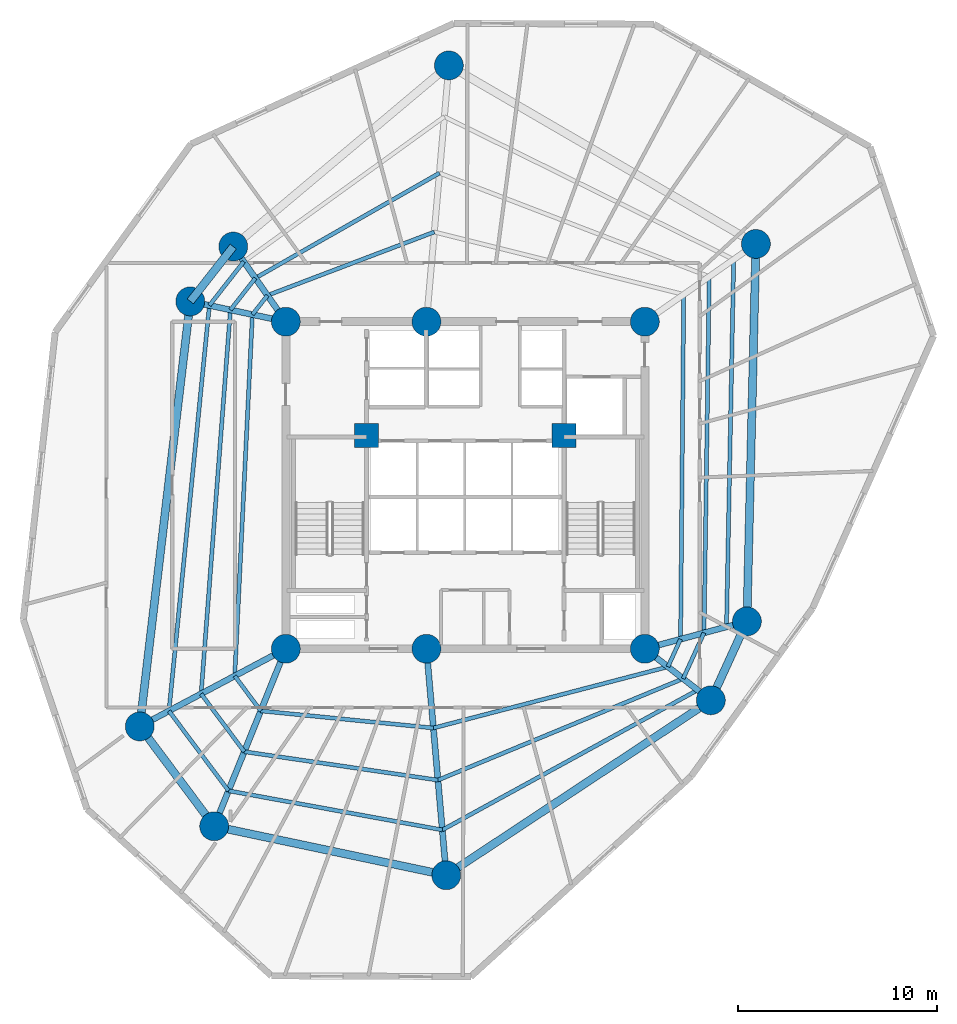
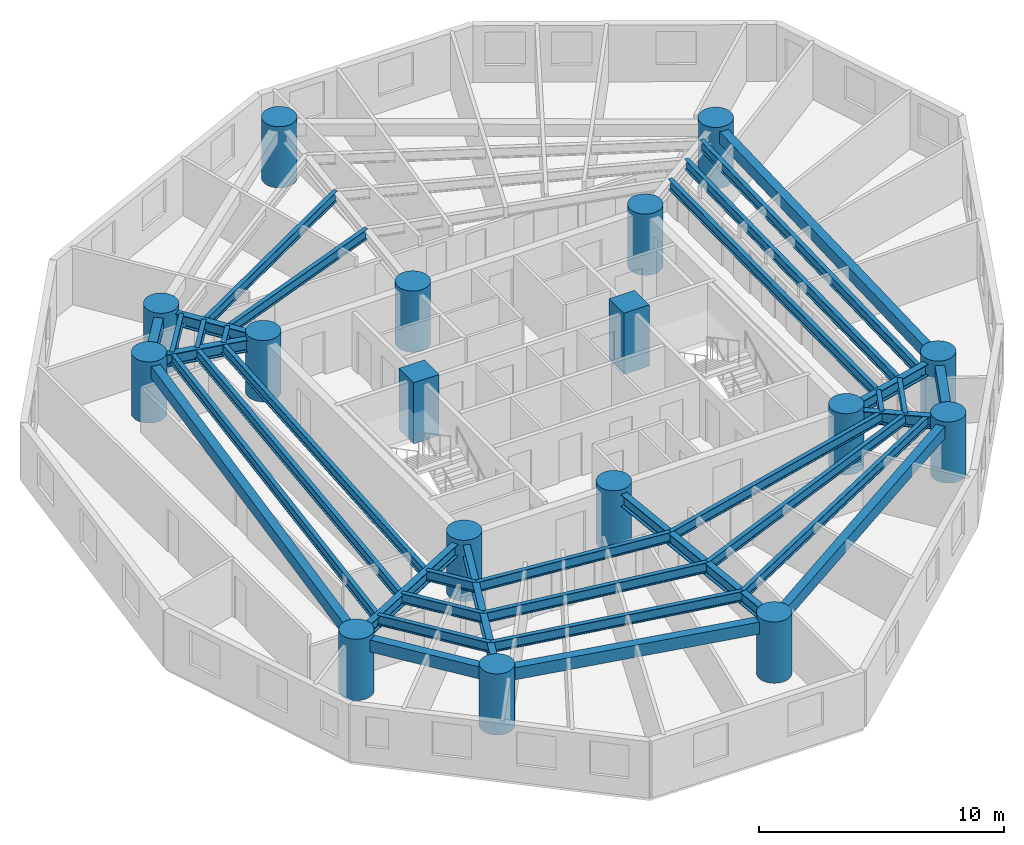
# One storey, part 1 of 8: 36 beams, 17 columns.
"""IFC4 building model written with IfcOpenShell, lengths in metres."""

from ifc_helpers import new_model, si_unit, direction, frame, origin, origin_with_axes, origin_2d, place, context, subcontext, project, spatial, rectangle, circle, i_section, extrude, source, transform, mapped, material, material_profile, profile_set, type_object, element, save


model = new_model("IFC4")

# Units and contexts
model_context = context("Model", 3, precision=1e-05, world=origin(), true_north=direction((0.0, 1.0)))
body_context = subcontext(model_context, "Body", "Model", "MODEL_VIEW")
ifc_project = project(units=[si_unit("LENGTHUNIT", "METRE"), si_unit("AREAUNIT", "SQUARE_METRE"), si_unit("VOLUMEUNIT", "CUBIC_METRE"), si_unit("PLANEANGLEUNIT", "RADIAN"), si_unit("MASSUNIT", "GRAM", prefix="KILO")], contexts=[model_context])

# Site, building, storey
site_placement = place(None, origin())
site = spatial("IfcSite", under=ifc_project, at=site_placement, CompositionType="ELEMENT")
building_placement = place(site_placement, origin())
building = spatial("IfcBuilding", under=site, at=building_placement, Name="Karkom Vertical University and Central Library", CompositionType="ELEMENT")
storey_placement = place(building_placement, frame((0.0, 0.0, 99.25)))
storey = spatial("IfcBuildingStorey", under=building, at=storey_placement, Name="L26", CompositionType="ELEMENT", Elevation=99.25)

# Columns
ifc_material_1 = material(Name="Concrete C50/60", Category="concrete")
ifc_material_profile_1 = material_profile(ifc_material_1, circle(Radius=0.72509765625, at=origin_2d()), Name="CFT-D1450")
ifc_profile_set_1 = profile_set([ifc_material_profile_1], Name="Concrete C50/60")
column_type_1 = type_object("IfcColumnType", Name="STR-COL-C-SC3", PredefinedType="COLUMN", material=ifc_profile_set_1)
shared_shape_1 = source(origin_with_axes(), body_context, "Body", "SweptSolid", [
    extrude(circle(Radius=0.72509765625, at=origin_2d()), origin(), (0.0, 0.0, 1.0), 3.050048828125),
])
for number, where, z_axis, x_axis, name in (
    (1, (19.5, 18.300048828125, 0.0), (0.0, 0.0, 1.0), (1.0, 0.0, 0.0), "Level 26 Spine Mega-Column SC-1"),
    (2, (26.550048828125, 18.300048828125, 0.0), (0.0, 0.0, 1.0), (1.0, 0.0, 0.0), "Level 26 Spine Mega-Column SC-2"),
    (3, (37.5, 18.300048828125, 0.0), (0.0, 0.0, 1.0), (1.0, 0.0, 0.0), "Level 26 Spine Mega-Column SC-3"),
    (4, (19.5, 34.699951171875, 0.0), (0.0, 0.0, 1.0), (1.0, 0.0, 0.0), "Level 26 Spine Mega-Column SC-4"),
    (5, (26.550048828125, 34.699951171875, 0.0), (0.0, 0.0, 1.0), (1.0, 0.0, 0.0), "Level 26 Spine Mega-Column SC-5"),
    (6, (37.5, 34.699951171875, 0.0), (0.0, 0.0, 1.0), (1.0, 0.0, 0.0), "Level 26 Spine Mega-Column SC-6"),
    (7, (42.618896484375, 19.672119140625, 0.0), (0.0, 0.0, 1.0), (1.0, 0.0, 0.0), "Level 26 Perimeter Mega-Column Z2-PC1"),
    (8, (43.070068359375, 38.60009765625, 0.0), (0.0, 0.0, 1.0), (1.0, 0.0, 0.0), "Level 26 Perimeter Mega-Column Z2-PC2"),
    (9, (27.674072265625, 47.551025390625, 0.0), (0.0, 0.0, 1.0), (1.0, 0.0, 0.0), "Level 26 Perimeter Mega-Column Z2-PC3"),
    (10, (16.862060546875, 38.468017578125, 0.0), (0.0, 0.0, 1.0), (1.0, 0.0, 0.0), "Level 26 Perimeter Mega-Column Z2-PC4"),
    (11, (14.70703125, 35.718994140625, 0.0), (0.0, 0.0, 1.0), (1.0, 0.0, 0.0), "Level 26 Perimeter Mega-Column Z2-PC5"),
    (12, (12.172119140625, 14.403076171875, 0.0), (0.0, 0.0, 1.0), (1.0, 0.0, 0.0), "Level 26 Perimeter Mega-Column Z2-PC6"),
    (13, (15.904052734375, 9.39892578125, 0.0), (0.0, 0.0, 1.0), (1.0, 0.0, 0.0), "Level 26 Perimeter Mega-Column Z2-PC7"),
    (14, (27.5439453125, 6.943115234375, 0.0), (0.0, 0.0, 1.0), (1.0, 0.0, 0.0), "Level 26 Perimeter Mega-Column Z2-PC8"),
    (15, (40.81005859375, 15.714111328125, 0.0), (0.0, 0.0, 1.0), (1.0, 0.0, 0.0), "Level 26 Perimeter Mega-Column Z2-PC9"),
):
    element("IfcColumn", number, at=place(storey_placement, frame(where, z_axis=z_axis, x_axis=x_axis)), inside=storey, type_object=column_type_1, Name=name, PredefinedType="COLUMN", context=body_context, shape_type="MappedRepresentation", body=[
        mapped(shared_shape_1, transform((0.0, 0.0, 0.0), scale=1.0)),
    ])
ifc_material_profile_2 = material_profile(ifc_material_1, rectangle(XDim=1.199951171875, YDim=1.199951171875, at=origin_2d()), Name="RC-1200x1200")
ifc_profile_set_2 = profile_set([ifc_material_profile_2], Name="Concrete C50/60")
column_type_2 = type_object("IfcColumnType", Name="STR-COL-C-CC1", PredefinedType="COLUMN", material=ifc_profile_set_2)
shared_shape_2 = source(origin_with_axes(), body_context, "Body", "SweptSolid", [
    extrude(rectangle(XDim=1.199951171875, YDim=1.199951171875, at=origin_2d()), origin(), (0.0, 0.0, 1.0), 3.050048828125),
])
for number, where, z_axis, x_axis, name in (
    (16, (23.550048828125, 29.0, 0.0), (0.0, 0.0, 1.0), (1.0, 0.0, 0.0), "Level 26 Core Node Column CC-1"),
    (17, (33.449951171875, 29.0, 0.0), (0.0, 0.0, 1.0), (1.0, 0.0, 0.0), "Level 26 Core Node Column CC-2"),
):
    element("IfcColumn", number, at=place(storey_placement, frame(where, z_axis=z_axis, x_axis=x_axis)), inside=storey, type_object=column_type_2, Name=name, PredefinedType="COLUMN", context=body_context, shape_type="MappedRepresentation", body=[
        mapped(shared_shape_2, transform((0.0, 0.0, 0.0), scale=1.0)),
    ])

# Beams
ifc_material_2 = material(Name="Precast concrete C45/55", Category="concrete")
ifc_material_profile_3 = material_profile(ifc_material_2, rectangle(XDim=0.39990234375, YDim=0.60009765625, at=origin_2d()), Name="SPB-400x600")
ifc_profile_set_3 = profile_set([ifc_material_profile_3], Name="Precast concrete C45/55")
beam_type_1 = type_object("IfcBeamType", Name="STR-BM-SP-1", PredefinedType="SPANDREL", material=ifc_profile_set_3)
shared_shape_3 = source(origin_with_axes(), body_context, "Body", "SweptSolid", [
    extrude(rectangle(XDim=0.39990234375, YDim=0.60009765625, at=origin_2d()), origin(), (0.0, 0.0, 1.0), 18.933349609375),
])
beam_1_placement = place(storey_placement, frame((42.618896484375, 19.672119140625, 2.52490234375), z_axis=(0.02382947333, 0.999716037783, 0.0), x_axis=(-0.999716037783, 0.02382947333, 0.0)))
element("IfcBeam", 18, at=beam_1_placement, inside=storey, type_object=beam_type_1, Name="Level 26 Perimeter Spandrel Beam 01", PredefinedType="SPANDREL", context=body_context, shape_type="MappedRepresentation", body=[
    mapped(shared_shape_3, transform((0.0, 0.0, 0.0), scale=1.0)),
])
shared_shape_4 = source(origin_with_axes(), body_context, "Body", "SweptSolid", [
    extrude(rectangle(XDim=0.39990234375, YDim=0.60009765625, at=origin_2d()), origin(), (0.0, 0.0, 1.0), 3.492919921875),
])
beam_2_placement = place(storey_placement, frame((16.862060546875, 38.468017578125, 2.52490234375), z_axis=(-0.616950700538, -0.787001799938, 0.0), x_axis=(0.787001799938, -0.616950700538, 0.0)))
element("IfcBeam", 19, at=beam_2_placement, inside=storey, type_object=beam_type_1, Name="Level 26 Perimeter Spandrel Beam 04", PredefinedType="SPANDREL", context=body_context, shape_type="MappedRepresentation", body=[
    mapped(shared_shape_4, transform((0.0, 0.0, 0.0), scale=1.0)),
])
shared_shape_5 = source(origin_with_axes(), body_context, "Body", "SweptSolid", [
    extrude(rectangle(XDim=0.39990234375, YDim=0.60009765625, at=origin_2d()), origin(), (0.0, 0.0, 1.0), 21.466064453125),
])
beam_3_placement = place(storey_placement, frame((14.70703125, 35.718994140625, 2.52490234375), z_axis=(-0.118088996795, -0.993003015522, 0.0), x_axis=(0.993003015522, -0.118088996795, 0.0)))
element("IfcBeam", 20, at=beam_3_placement, inside=storey, type_object=beam_type_1, Name="Level 26 Perimeter Spandrel Beam 05", PredefinedType="SPANDREL", context=body_context, shape_type="MappedRepresentation", body=[
    mapped(shared_shape_5, transform((0.0, 0.0, 0.0), scale=1.0)),
])
shared_shape_6 = source(origin_with_axes(), body_context, "Body", "SweptSolid", [
    extrude(rectangle(XDim=0.39990234375, YDim=0.60009765625, at=origin_2d()), origin(), (0.0, 0.0, 1.0), 6.242431640625),
])
beam_4_placement = place(storey_placement, frame((12.172119140625, 14.403076171875, 2.52490234375), z_axis=(0.59782643552, -0.801625569074, 0.0), x_axis=(0.801625569074, 0.59782643552, 0.0)))
element("IfcBeam", 21, at=beam_4_placement, inside=storey, type_object=beam_type_1, Name="Level 26 Perimeter Spandrel Beam 06", PredefinedType="SPANDREL", context=body_context, shape_type="MappedRepresentation", body=[
    mapped(shared_shape_6, transform((0.0, 0.0, 0.0), scale=1.0)),
])
shared_shape_7 = source(origin_with_axes(), body_context, "Body", "SweptSolid", [
    extrude(rectangle(XDim=0.39990234375, YDim=0.60009765625, at=origin_2d()), origin(), (0.0, 0.0, 1.0), 11.896240234375),
])
beam_5_placement = place(storey_placement, frame((15.904052734375, 9.39892578125, 2.52490234375), z_axis=(0.978459762135, -0.206437627101, 0.0), x_axis=(0.206437627101, 0.978459762135, 0.0)))
element("IfcBeam", 22, at=beam_5_placement, inside=storey, type_object=beam_type_1, Name="Level 26 Perimeter Spandrel Beam 07", PredefinedType="SPANDREL", context=body_context, shape_type="MappedRepresentation", body=[
    mapped(shared_shape_7, transform((0.0, 0.0, 0.0), scale=1.0)),
])
shared_shape_8 = source(origin_with_axes(), body_context, "Body", "SweptSolid", [
    extrude(rectangle(XDim=0.39990234375, YDim=0.60009765625, at=origin_2d()), origin(), (0.0, 0.0, 1.0), 15.903564453125),
])
beam_6_placement = place(storey_placement, frame((27.5439453125, 6.943115234375, 2.52490234375), z_axis=(0.834165069331, 0.551514856652, 0.0), x_axis=(-0.551514856652, 0.834165069331, 0.0)))
element("IfcBeam", 23, at=beam_6_placement, inside=storey, type_object=beam_type_1, Name="Level 26 Perimeter Spandrel Beam 08", PredefinedType="SPANDREL", context=body_context, shape_type="MappedRepresentation", body=[
    mapped(shared_shape_8, transform((0.0, 0.0, 0.0), scale=1.0)),
])
shared_shape_9 = source(origin_with_axes(), body_context, "Body", "SweptSolid", [
    extrude(rectangle(XDim=0.39990234375, YDim=0.60009765625, at=origin_2d()), origin(), (0.0, 0.0, 1.0), 4.351806640625),
])
beam_7_placement = place(storey_placement, frame((40.81005859375, 15.714111328125, 2.52490234375), z_axis=(0.415657668422, 0.909521139217, 0.0), x_axis=(-0.909521139217, 0.415657668422, 0.0)))
element("IfcBeam", 24, at=beam_7_placement, inside=storey, type_object=beam_type_1, Name="Level 26 Perimeter Spandrel Beam 09", PredefinedType="SPANDREL", context=body_context, shape_type="MappedRepresentation", body=[
    mapped(shared_shape_9, transform((0.0, 0.0, 0.0), scale=1.0)),
])
ifc_material_3 = material(Name="Steel S355", Category="steel")
ifc_material_profile_4 = material_profile(ifc_material_3, i_section(OverallWidth=0.199951171875, OverallDepth=0.5, WebThickness=0.01025390625, FlangeThickness=0.01611328125, FilletRadius=0.02099609375, at=origin_2d()), Name="IPE 500")
ifc_profile_set_4 = profile_set([ifc_material_profile_4], Name="Steel S355")
beam_type_2 = type_object("IfcBeamType", Name="STR-BM-SB-IPE500", PredefinedType="BEAM", material=ifc_profile_set_4)
shared_shape_10 = source(origin_with_axes(), body_context, "Body", "SweptSolid", [
    extrude(i_section(OverallWidth=0.199951171875, OverallDepth=0.5, WebThickness=0.01025390625, FlangeThickness=0.01611328125, FilletRadius=0.02099609375, at=origin_2d()), origin(), (0.0, 0.0, 1.0), 17.285400390625),
])
beam_8_placement = place(storey_placement, frame((39.29150390625, 18.7802734375, 2.574951171875), z_axis=(0.009138294648, 0.999958244914, 0.0), x_axis=(-0.999958244914, 0.009138294648, 0.0)))
element("IfcBeam", 25, at=beam_8_placement, inside=storey, type_object=beam_type_2, Name="Level 26 Secondary Composite Floor Beam 1.01", PredefinedType="BEAM", context=body_context, shape_type="MappedRepresentation", body=[
    mapped(shared_shape_10, transform((0.0, 0.0, 0.0), scale=1.0)),
])
shared_shape_11 = source(origin_with_axes(), body_context, "Body", "SweptSolid", [
    extrude(i_section(OverallWidth=0.199951171875, OverallDepth=0.5, WebThickness=0.01025390625, FlangeThickness=0.01611328125, FilletRadius=0.02099609375, at=origin_2d()), origin(), (0.0, 0.0, 1.0), 8.950439453125),
])
beam_9_placement = place(storey_placement, frame((26.943359375, 39.197998046875, 2.574951171875), z_axis=(-0.93478901494, -0.355203459368, 0.0), x_axis=(0.355203459368, -0.93478901494, 0.0)))
element("IfcBeam", 26, at=beam_9_placement, inside=storey, type_object=beam_type_2, Name="Level 26 Secondary Composite Floor Beam 1.03", PredefinedType="BEAM", context=body_context, shape_type="MappedRepresentation", body=[
    mapped(shared_shape_11, transform((0.0, 0.0, 0.0), scale=1.0)),
])
shared_shape_12 = source(origin_with_axes(), body_context, "Body", "SweptSolid", [
    extrude(i_section(OverallWidth=0.199951171875, OverallDepth=0.5, WebThickness=0.01025390625, FlangeThickness=0.01611328125, FilletRadius=0.02099609375, at=origin_2d()), origin(), (0.0, 0.0, 1.0), 1.222412109375),
])
beam_10_placement = place(storey_placement, frame((18.57666015625, 36.018798828125, 2.574951171875), z_axis=(-0.616895037184, -0.787045432677, 0.0), x_axis=(0.787045432677, -0.616895037184, 0.0)))
element("IfcBeam", 27, at=beam_10_placement, inside=storey, type_object=beam_type_2, Name="Level 26 Secondary Composite Floor Beam 1.04", PredefinedType="BEAM", context=body_context, shape_type="MappedRepresentation", body=[
    mapped(shared_shape_12, transform((0.0, 0.0, 0.0), scale=1.0)),
])
shared_shape_13 = source(origin_with_axes(), body_context, "Body", "SweptSolid", [
    extrude(i_section(OverallWidth=0.199951171875, OverallDepth=0.5, WebThickness=0.01025390625, FlangeThickness=0.01611328125, FilletRadius=0.02099609375, at=origin_2d()), origin(), (0.0, 0.0, 1.0), 18.142333984375),
])
beam_11_placement = place(storey_placement, frame((17.822509765625, 35.056640625, 2.574951171875), z_axis=(-0.048902644774, -0.998803549921, 0.0), x_axis=(0.998803549921, -0.048902644774, 0.0)))
element("IfcBeam", 28, at=beam_11_placement, inside=storey, type_object=beam_type_2, Name="Level 26 Secondary Composite Floor Beam 1.05", PredefinedType="BEAM", context=body_context, shape_type="MappedRepresentation", body=[
    mapped(shared_shape_13, transform((0.0, 0.0, 0.0), scale=1.0)),
])
shared_shape_14 = source(origin_with_axes(), body_context, "Body", "SweptSolid", [
    extrude(i_section(OverallWidth=0.199951171875, OverallDepth=0.5, WebThickness=0.01025390625, FlangeThickness=0.01611328125, FilletRadius=0.02099609375, at=origin_2d()), origin(), (0.0, 0.0, 1.0), 2.1845703125),
])
beam_12_placement = place(storey_placement, frame((16.935302734375, 16.93603515625, 2.574951171875), z_axis=(0.597870130664, -0.801592980795, 0.0), x_axis=(0.801592980795, 0.597870130664, 0.0)))
element("IfcBeam", 29, at=beam_12_placement, inside=storey, type_object=beam_type_2, Name="Level 26 Secondary Composite Floor Beam 1.06", PredefinedType="BEAM", context=body_context, shape_type="MappedRepresentation", body=[
    mapped(shared_shape_14, transform((0.0, 0.0, 0.0), scale=1.0)),
])
shared_shape_15 = source(origin_with_axes(), body_context, "Body", "SweptSolid", [
    extrude(i_section(OverallWidth=0.199951171875, OverallDepth=0.5, WebThickness=0.01025390625, FlangeThickness=0.01611328125, FilletRadius=0.02099609375, at=origin_2d()), origin(), (0.0, 0.0, 1.0), 8.698974609375),
])
beam_13_placement = place(storey_placement, frame((18.241455078125, 15.184814453125, 2.574951171875), z_axis=(0.995105588045, -0.098817349903, 0.0), x_axis=(0.098817349903, 0.995105588045, 0.0)))
element("IfcBeam", 30, at=beam_13_placement, inside=storey, type_object=beam_type_2, Name="Level 26 Secondary Composite Floor Beam 1.07", PredefinedType="BEAM", context=body_context, shape_type="MappedRepresentation", body=[
    mapped(shared_shape_15, transform((0.0, 0.0, 0.0), scale=1.0)),
])
shared_shape_16 = source(origin_with_axes(), body_context, "Body", "SweptSolid", [
    extrude(i_section(OverallWidth=0.199951171875, OverallDepth=0.5, WebThickness=0.01025390625, FlangeThickness=0.01611328125, FilletRadius=0.02099609375, at=origin_2d()), origin(), (0.0, 0.0, 1.0), 12.154541015625),
])
beam_14_placement = place(storey_placement, frame((26.89794921875, 14.3251953125, 2.574951171875), z_axis=(0.967579719768, 0.252565805077, 0.0), x_axis=(-0.252565805077, 0.967579719768, 0.0)))
element("IfcBeam", 31, at=beam_14_placement, inside=storey, type_object=beam_type_2, Name="Level 26 Secondary Composite Floor Beam 1.08", PredefinedType="BEAM", context=body_context, shape_type="MappedRepresentation", body=[
    mapped(shared_shape_16, transform((0.0, 0.0, 0.0), scale=1.0)),
])
shared_shape_17 = source(origin_with_axes(), body_context, "Body", "SweptSolid", [
    extrude(i_section(OverallWidth=0.199951171875, OverallDepth=0.5, WebThickness=0.01025390625, FlangeThickness=0.01611328125, FilletRadius=0.02099609375, at=origin_2d()), origin(), (0.0, 0.0, 1.0), 1.52294921875),
])
beam_15_placement = place(storey_placement, frame((38.658447265625, 17.39501953125, 2.574951171875), z_axis=(0.415649898107, 0.909524690266, 0.0), x_axis=(-0.909524690266, 0.415649898107, 0.0)))
element("IfcBeam", 32, at=beam_15_placement, inside=storey, type_object=beam_type_2, Name="Level 26 Secondary Composite Floor Beam 1.09", PredefinedType="BEAM", context=body_context, shape_type="MappedRepresentation", body=[
    mapped(shared_shape_17, transform((0.0, 0.0, 0.0), scale=1.0)),
])
shared_shape_18 = source(origin_with_axes(), body_context, "Body", "SweptSolid", [
    extrude(i_section(OverallWidth=0.199951171875, OverallDepth=0.5, WebThickness=0.01025390625, FlangeThickness=0.01611328125, FilletRadius=0.02099609375, at=origin_2d()), origin(), (0.0, 0.0, 1.0), 17.8681640625),
])
beam_16_placement = place(storey_placement, frame((40.468994140625, 19.095703125, 2.574951171875), z_axis=(0.014647239676, 0.999892723431, 0.0), x_axis=(-0.999892723431, 0.014647239676, 0.0)))
element("IfcBeam", 33, at=beam_16_placement, inside=storey, type_object=beam_type_2, Name="Level 26 Secondary Composite Floor Beam 2.01", PredefinedType="BEAM", context=body_context, shape_type="MappedRepresentation", body=[
    mapped(shared_shape_18, transform((0.0, 0.0, 0.0), scale=1.0)),
])
shared_shape_19 = source(origin_with_axes(), body_context, "Body", "SweptSolid", [
    extrude(i_section(OverallWidth=0.199951171875, OverallDepth=0.5, WebThickness=0.01025390625, FlangeThickness=0.01611328125, FilletRadius=0.02099609375, at=origin_2d()), origin(), (0.0, 0.0, 1.0), 10.629150390625),
])
beam_17_placement = place(storey_placement, frame((27.201904296875, 42.153564453125, 2.574951171875), z_axis=(-0.868539813491, -0.495619402748, 0.0), x_axis=(0.495619402748, -0.868539813491, 0.0)))
element("IfcBeam", 34, at=beam_17_placement, inside=storey, type_object=beam_type_2, Name="Level 26 Secondary Composite Floor Beam 2.03", PredefinedType="BEAM", context=body_context, shape_type="MappedRepresentation", body=[
    mapped(shared_shape_19, transform((0.0, 0.0, 0.0), scale=1.0)),
])
shared_shape_20 = source(origin_with_axes(), body_context, "Body", "SweptSolid", [
    extrude(i_section(OverallWidth=0.199951171875, OverallDepth=0.5, WebThickness=0.01025390625, FlangeThickness=0.01611328125, FilletRadius=0.02099609375, at=origin_2d()), origin(), (0.0, 0.0, 1.0), 2.02587890625),
])
beam_18_placement = place(storey_placement, frame((17.969970703125, 36.885498046875, 2.574951171875), z_axis=(-0.616889733535, -0.787049589708, 0.0), x_axis=(0.787049589708, -0.616889733535, 0.0)))
element("IfcBeam", 35, at=beam_18_placement, inside=storey, type_object=beam_type_2, Name="Level 26 Secondary Composite Floor Beam 2.04", PredefinedType="BEAM", context=body_context, shape_type="MappedRepresentation", body=[
    mapped(shared_shape_20, transform((0.0, 0.0, 0.0), scale=1.0)),
])
shared_shape_21 = source(origin_with_axes(), body_context, "Body", "SweptSolid", [
    extrude(i_section(OverallWidth=0.199951171875, OverallDepth=0.5, WebThickness=0.01025390625, FlangeThickness=0.01611328125, FilletRadius=0.02099609375, at=origin_2d()), origin(), (0.0, 0.0, 1.0), 19.307373046875),
])
beam_19_placement = place(storey_placement, frame((16.72021484375, 35.291015625, 2.574951171875), z_axis=(-0.07616078645, -0.997095549387, 0.0), x_axis=(0.997095549387, -0.07616078645, 0.0)))
element("IfcBeam", 36, at=beam_19_placement, inside=storey, type_object=beam_type_2, Name="Level 26 Secondary Composite Floor Beam 2.05", PredefinedType="BEAM", context=body_context, shape_type="MappedRepresentation", body=[
    mapped(shared_shape_21, transform((0.0, 0.0, 0.0), scale=1.0)),
])
shared_shape_22 = source(origin_with_axes(), body_context, "Body", "SweptSolid", [
    extrude(i_section(OverallWidth=0.199951171875, OverallDepth=0.5, WebThickness=0.01025390625, FlangeThickness=0.01611328125, FilletRadius=0.02099609375, at=origin_2d()), origin(), (0.0, 0.0, 1.0), 3.62060546875),
])
beam_20_placement = place(storey_placement, frame((15.249755859375, 16.039794921875, 2.574951171875), z_axis=(0.59784003707, -0.801615425298, 0.0), x_axis=(0.801615425298, 0.59784003707, 0.0)))
element("IfcBeam", 37, at=beam_20_placement, inside=storey, type_object=beam_type_2, Name="Level 26 Secondary Composite Floor Beam 2.06", PredefinedType="BEAM", context=body_context, shape_type="MappedRepresentation", body=[
    mapped(shared_shape_22, transform((0.0, 0.0, 0.0), scale=1.0)),
])
shared_shape_23 = source(origin_with_axes(), body_context, "Body", "SweptSolid", [
    extrude(i_section(OverallWidth=0.199951171875, OverallDepth=0.5, WebThickness=0.01025390625, FlangeThickness=0.01611328125, FilletRadius=0.02099609375, at=origin_2d()), origin(), (0.0, 0.0, 1.0), 9.816162109375),
])
beam_21_placement = place(storey_placement, frame((17.414306640625, 13.137451171875, 2.574951171875), z_axis=(0.989413295367, -0.145125225069, 0.0), x_axis=(0.145125225069, 0.989413295367, 0.0)))
element("IfcBeam", 38, at=beam_21_placement, inside=storey, type_object=beam_type_2, Name="Level 26 Secondary Composite Floor Beam 2.07", PredefinedType="BEAM", context=body_context, shape_type="MappedRepresentation", body=[
    mapped(shared_shape_23, transform((0.0, 0.0, 0.0), scale=1.0)),
])
shared_shape_24 = source(origin_with_axes(), body_context, "Body", "SweptSolid", [
    extrude(i_section(OverallWidth=0.199951171875, OverallDepth=0.5, WebThickness=0.01025390625, FlangeThickness=0.01611328125, FilletRadius=0.02099609375, at=origin_2d()), origin(), (0.0, 0.0, 1.0), 13.304443359375),
])
beam_22_placement = place(storey_placement, frame((27.12646484375, 11.712890625, 2.574951171875), z_axis=(0.924011243398, 0.382365299255, 0.0), x_axis=(-0.382365299255, 0.924011243398, 0.0)))
element("IfcBeam", 39, at=beam_22_placement, inside=storey, type_object=beam_type_2, Name="Level 26 Secondary Composite Floor Beam 2.08", PredefinedType="BEAM", context=body_context, shape_type="MappedRepresentation", body=[
    mapped(shared_shape_24, transform((0.0, 0.0, 0.0), scale=1.0)),
])
shared_shape_25 = source(origin_with_axes(), body_context, "Body", "SweptSolid", [
    extrude(i_section(OverallWidth=0.199951171875, OverallDepth=0.5, WebThickness=0.01025390625, FlangeThickness=0.01611328125, FilletRadius=0.02099609375, at=origin_2d()), origin(), (0.0, 0.0, 1.0), 2.52392578125),
])
beam_23_placement = place(storey_placement, frame((39.419921875, 16.800048828125, 2.574951171875), z_axis=(0.415638602127, 0.909529852408, 0.0), x_axis=(-0.909529852408, 0.415638602127, 0.0)))
element("IfcBeam", 40, at=beam_23_placement, inside=storey, type_object=beam_type_2, Name="Level 26 Secondary Composite Floor Beam 2.09", PredefinedType="BEAM", context=body_context, shape_type="MappedRepresentation", body=[
    mapped(shared_shape_25, transform((0.0, 0.0, 0.0), scale=1.0)),
])
shared_shape_26 = source(origin_with_axes(), body_context, "Body", "SweptSolid", [
    extrude(i_section(OverallWidth=0.199951171875, OverallDepth=0.5, WebThickness=0.01025390625, FlangeThickness=0.01611328125, FilletRadius=0.02099609375, at=origin_2d()), origin(), (0.0, 0.0, 1.0), 18.42578125),
])
beam_24_placement = place(storey_placement, frame((41.59521484375, 19.397705078125, 2.574951171875), z_axis=(0.019583298818, 0.999808228816, 0.0), x_axis=(-0.999808228816, 0.019583298818, 0.0)))
element("IfcBeam", 41, at=beam_24_placement, inside=storey, type_object=beam_type_2, Name="Level 26 Secondary Composite Floor Beam 3.01", PredefinedType="BEAM", context=body_context, shape_type="MappedRepresentation", body=[
    mapped(shared_shape_26, transform((0.0, 0.0, 0.0), scale=1.0)),
])
shared_shape_27 = source(origin_with_axes(), body_context, "Body", "SweptSolid", [
    extrude(i_section(OverallWidth=0.199951171875, OverallDepth=0.5, WebThickness=0.01025390625, FlangeThickness=0.01611328125, FilletRadius=0.02099609375, at=origin_2d()), origin(), (0.0, 0.0, 1.0), 2.79443359375),
])
beam_25_placement = place(storey_placement, frame((17.3896484375, 37.71435546875, 2.574951171875), z_axis=(-0.616972344898, -0.786984831894, 0.0), x_axis=(0.786984831894, -0.616972344898, 0.0)))
element("IfcBeam", 42, at=beam_25_placement, inside=storey, type_object=beam_type_2, Name="Level 26 Secondary Composite Floor Beam 3.04", PredefinedType="BEAM", context=body_context, shape_type="MappedRepresentation", body=[
    mapped(shared_shape_27, transform((0.0, 0.0, 0.0), scale=1.0)),
])
shared_shape_28 = source(origin_with_axes(), body_context, "Body", "SweptSolid", [
    extrude(i_section(OverallWidth=0.199951171875, OverallDepth=0.5, WebThickness=0.01025390625, FlangeThickness=0.01611328125, FilletRadius=0.02099609375, at=origin_2d()), origin(), (0.0, 0.0, 1.0), 20.43359375),
])
beam_26_placement = place(storey_placement, frame((15.66552734375, 35.51513671875, 2.574951171875), z_axis=(-0.099239913611, -0.995063535432, 0.0), x_axis=(0.995063535432, -0.099239913611, 0.0)))
element("IfcBeam", 43, at=beam_26_placement, inside=storey, type_object=beam_type_2, Name="Level 26 Secondary Composite Floor Beam 3.05", PredefinedType="BEAM", context=body_context, shape_type="MappedRepresentation", body=[
    mapped(shared_shape_28, transform((0.0, 0.0, 0.0), scale=1.0)),
])
shared_shape_29 = source(origin_with_axes(), body_context, "Body", "SweptSolid", [
    extrude(i_section(OverallWidth=0.199951171875, OverallDepth=0.5, WebThickness=0.01025390625, FlangeThickness=0.01611328125, FilletRadius=0.02099609375, at=origin_2d()), origin(), (0.0, 0.0, 1.0), 4.993896484375),
])
beam_27_placement = place(storey_placement, frame((13.6376953125, 15.182373046875, 2.574951171875), z_axis=(0.597846775537, -0.801610399745, 0.0), x_axis=(0.801610399745, 0.597846775537, 0.0)))
element("IfcBeam", 44, at=beam_27_placement, inside=storey, type_object=beam_type_2, Name="Level 26 Secondary Composite Floor Beam 3.06", PredefinedType="BEAM", context=body_context, shape_type="MappedRepresentation", body=[
    mapped(shared_shape_29, transform((0.0, 0.0, 0.0), scale=1.0)),
])
shared_shape_30 = source(origin_with_axes(), body_context, "Body", "SweptSolid", [
    extrude(i_section(OverallWidth=0.199951171875, OverallDepth=0.5, WebThickness=0.01025390625, FlangeThickness=0.01611328125, FilletRadius=0.02099609375, at=origin_2d()), origin(), (0.0, 0.0, 1.0), 10.900390625),
])
beam_28_placement = place(storey_placement, frame((16.623291015625, 11.17919921875, 2.574951171875), z_axis=(0.98362026014, -0.180253110495, 0.0), x_axis=(0.180253110495, 0.98362026014, 0.0)))
element("IfcBeam", 45, at=beam_28_placement, inside=storey, type_object=beam_type_2, Name="Level 26 Secondary Composite Floor Beam 3.07", PredefinedType="BEAM", context=body_context, shape_type="MappedRepresentation", body=[
    mapped(shared_shape_30, transform((0.0, 0.0, 0.0), scale=1.0)),
])
shared_shape_31 = source(origin_with_axes(), body_context, "Body", "SweptSolid", [
    extrude(i_section(OverallWidth=0.199951171875, OverallDepth=0.5, WebThickness=0.01025390625, FlangeThickness=0.01611328125, FilletRadius=0.02099609375, at=origin_2d()), origin(), (0.0, 0.0, 1.0), 14.599609375),
])
beam_29_placement = place(storey_placement, frame((27.34521484375, 9.21435546875, 2.574951171875), z_axis=(0.876928143127, 0.480621505752, 0.0), x_axis=(-0.480621505752, 0.876928143127, 0.0)))
element("IfcBeam", 46, at=beam_29_placement, inside=storey, type_object=beam_type_2, Name="Level 26 Secondary Composite Floor Beam 3.08", PredefinedType="BEAM", context=body_context, shape_type="MappedRepresentation", body=[
    mapped(shared_shape_31, transform((0.0, 0.0, 0.0), scale=1.0)),
])
ifc_material_profile_5 = material_profile(ifc_material_3, i_section(OverallWidth=0.300048828125, OverallDepth=0.60009765625, WebThickness=0.015380859375, FlangeThickness=0.030029296875, FilletRadius=0.027099609375, at=origin_2d()), Name="HE 600 B")
ifc_profile_set_5 = profile_set([ifc_material_profile_5], Name="Steel S355")
beam_type_3 = type_object("IfcBeamType", Name="STR-BM-SB-HE600", PredefinedType="USERDEFINED", material=ifc_profile_set_5)
shared_shape_32 = source(origin_with_axes(), body_context, "Body", "SweptSolid", [
    extrude(i_section(OverallWidth=0.300048828125, OverallDepth=0.60009765625, WebThickness=0.015380859375, FlangeThickness=0.030029296875, FilletRadius=0.027099609375, at=origin_2d()), origin(), (0.0, 0.0, 1.0), 5.299560546875),
])
beam_30_placement = place(storey_placement, frame((37.5, 18.300048828125, 2.52490234375), z_axis=(0.965903833688, 0.258901108663, 0.0), x_axis=(-0.258901108663, 0.965903833688, 0.0)))
element("IfcBeam", 47, at=beam_30_placement, inside=storey, type_object=beam_type_3, Name="Level 26 Radial Frame Girder 01", ObjectType="GIRDER", PredefinedType="USERDEFINED", context=body_context, shape_type="MappedRepresentation", body=[
    mapped(shared_shape_32, transform((0.0, 0.0, 0.0), scale=1.0)),
])
shared_shape_33 = source(origin_with_axes(), body_context, "Body", "SweptSolid", [
    extrude(i_section(OverallWidth=0.300048828125, OverallDepth=0.60009765625, WebThickness=0.015380859375, FlangeThickness=0.030029296875, FilletRadius=0.027099609375, at=origin_2d()), origin(), (0.0, 0.0, 1.0), 4.599609375),
])
beam_31_placement = place(storey_placement, frame((19.5, 34.699951171875, 2.52490234375), z_axis=(-0.573505090764, 0.819201996377, 0.0), x_axis=(-0.819201996377, -0.573505090764, 0.0)))
element("IfcBeam", 48, at=beam_31_placement, inside=storey, type_object=beam_type_3, Name="Level 26 Radial Frame Girder 04", ObjectType="GIRDER", PredefinedType="USERDEFINED", context=body_context, shape_type="MappedRepresentation", body=[
    mapped(shared_shape_33, transform((0.0, 0.0, 0.0), scale=1.0)),
])
shared_shape_34 = source(origin_with_axes(), body_context, "Body", "SweptSolid", [
    extrude(i_section(OverallWidth=0.300048828125, OverallDepth=0.60009765625, WebThickness=0.015380859375, FlangeThickness=0.030029296875, FilletRadius=0.027099609375, at=origin_2d()), origin(), (0.0, 0.0, 1.0), 4.900146484375),
])
beam_32_placement = place(storey_placement, frame((19.5, 34.699951171875, 2.52490234375), z_axis=(-0.978136559131, 0.207963630695, 0.0), x_axis=(-0.207963630695, -0.978136559131, 0.0)))
element("IfcBeam", 49, at=beam_32_placement, inside=storey, type_object=beam_type_3, Name="Level 26 Radial Frame Girder 05", ObjectType="GIRDER", PredefinedType="USERDEFINED", context=body_context, shape_type="MappedRepresentation", body=[
    mapped(shared_shape_34, transform((0.0, 0.0, 0.0), scale=1.0)),
])
shared_shape_35 = source(origin_with_axes(), body_context, "Body", "SweptSolid", [
    extrude(i_section(OverallWidth=0.300048828125, OverallDepth=0.60009765625, WebThickness=0.015380859375, FlangeThickness=0.030029296875, FilletRadius=0.027099609375, at=origin_2d()), origin(), (0.0, 0.0, 1.0), 8.299560546875),
])
beam_33_placement = place(storey_placement, frame((19.5, 18.300048828125, 2.52490234375), z_axis=(-0.882914163564, -0.469534428746, 0.0), x_axis=(0.469534428746, -0.882914163564, 0.0)))
element("IfcBeam", 50, at=beam_33_placement, inside=storey, type_object=beam_type_3, Name="Level 26 Radial Frame Girder 06", ObjectType="GIRDER", PredefinedType="USERDEFINED", context=body_context, shape_type="MappedRepresentation", body=[
    mapped(shared_shape_35, transform((0.0, 0.0, 0.0), scale=1.0)),
])
shared_shape_36 = source(origin_with_axes(), body_context, "Body", "SweptSolid", [
    extrude(i_section(OverallWidth=0.300048828125, OverallDepth=0.60009765625, WebThickness=0.015380859375, FlangeThickness=0.030029296875, FilletRadius=0.027099609375, at=origin_2d()), origin(), (0.0, 0.0, 1.0), 9.60009765625),
])
beam_34_placement = place(storey_placement, frame((19.5, 18.300048828125, 2.52490234375), z_axis=(-0.374576157034, -0.927196151082, 0.0), x_axis=(0.927196151082, -0.374576157034, 0.0)))
element("IfcBeam", 51, at=beam_34_placement, inside=storey, type_object=beam_type_3, Name="Level 26 Radial Frame Girder 07", ObjectType="GIRDER", PredefinedType="USERDEFINED", context=body_context, shape_type="MappedRepresentation", body=[
    mapped(shared_shape_36, transform((0.0, 0.0, 0.0), scale=1.0)),
])
shared_shape_37 = source(origin_with_axes(), body_context, "Body", "SweptSolid", [
    extrude(i_section(OverallWidth=0.300048828125, OverallDepth=0.60009765625, WebThickness=0.015380859375, FlangeThickness=0.030029296875, FilletRadius=0.027099609375, at=origin_2d()), origin(), (0.0, 0.0, 1.0), 11.400390625),
])
beam_35_placement = place(storey_placement, frame((26.550048828125, 18.300048828125, 2.52490234375), z_axis=(0.087181295702, -0.996192462168, 0.0), x_axis=(0.996192462168, 0.087181295702, 0.0)))
element("IfcBeam", 52, at=beam_35_placement, inside=storey, type_object=beam_type_3, Name="Level 26 Radial Frame Girder 08", ObjectType="GIRDER", PredefinedType="USERDEFINED", context=body_context, shape_type="MappedRepresentation", body=[
    mapped(shared_shape_37, transform((0.0, 0.0, 0.0), scale=1.0)),
])
shared_shape_38 = source(origin_with_axes(), body_context, "Body", "SweptSolid", [
    extrude(i_section(OverallWidth=0.300048828125, OverallDepth=0.60009765625, WebThickness=0.015380859375, FlangeThickness=0.030029296875, FilletRadius=0.027099609375, at=origin_2d()), origin(), (0.0, 0.0, 1.0), 4.200439453125),
])
beam_36_placement = place(storey_placement, frame((37.5, 18.300048828125, 2.52490234375), z_axis=(0.788029660796, -0.615637274461, 0.0), x_axis=(0.615637274461, 0.788029660796, 0.0)))
element("IfcBeam", 53, at=beam_36_placement, inside=storey, type_object=beam_type_3, Name="Level 26 Radial Frame Girder 09", ObjectType="GIRDER", PredefinedType="USERDEFINED", context=body_context, shape_type="MappedRepresentation", body=[
    mapped(shared_shape_38, transform((0.0, 0.0, 0.0), scale=1.0)),
])

save(model, "model.ifc")
